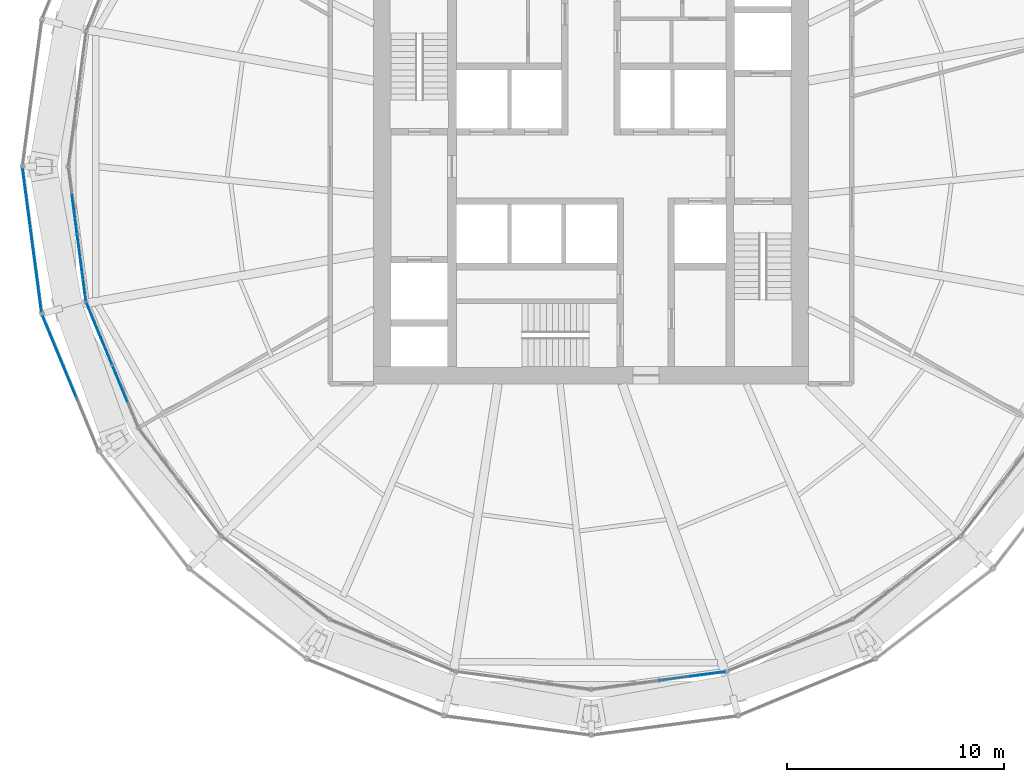
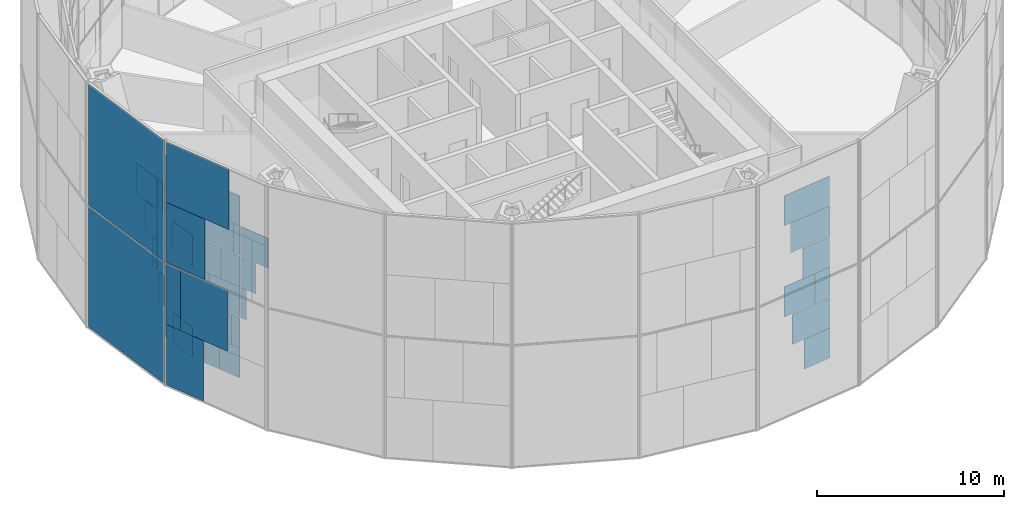
# One storey, part 13 of 26: 42 plates, 5 elements without a shape of their own.
"""IFC4 building model written with IfcOpenShell, lengths in metres."""

from ifc_helpers import new_model, si_unit, direction, frame, origin, origin_2d, place, context, subcontext, project, spatial, rectangle, extrude, material, layer, layer_set, type_object, element, aggregate, save


model = new_model("IFC4")

# Units and contexts
model_context = context("Model", 3, precision=1e-05, world=origin(), true_north=direction((0.0, 1.0)))
body_context = subcontext(model_context, "Body", "Model", "MODEL_VIEW")
ifc_project = project(units=[si_unit("LENGTHUNIT", "METRE"), si_unit("AREAUNIT", "SQUARE_METRE"), si_unit("VOLUMEUNIT", "CUBIC_METRE"), si_unit("PLANEANGLEUNIT", "RADIAN"), si_unit("MASSUNIT", "GRAM", prefix="KILO")], contexts=[model_context])

# Site, building, storey
site_placement = place(None, origin())
site = spatial("IfcSite", under=ifc_project, at=site_placement, CompositionType="ELEMENT")
building_placement = place(site_placement, origin())
building = spatial("IfcBuilding", under=site, at=building_placement, Name="Golbaran Civic Tower", CompositionType="ELEMENT")
storey_placement = place(building_placement, frame((0.0, 0.0, 69.0)))
storey = spatial("IfcBuildingStorey", under=building, at=storey_placement, Name="L16", CompositionType="ELEMENT", Elevation=69.0)

# Curtain wall, plates
ifc_material_1 = material(Name="Aluminium and glass", Category="aluminium")
curtain_wall_type_1 = type_object("IfcCurtainWallType", Name="INNER SKIN CURTAIN WALL", PredefinedType="NOTDEFINED", material=ifc_material_1)
curtain_wall_1_placement = place(storey_placement, origin())
curtain_wall_1 = element("IfcCurtainWall", 1, at=curtain_wall_1_placement, inside=storey, type_object=curtain_wall_type_1, Name="Inner skin L16 facet 13 CW1", ObjectType="INNER SKIN", PredefinedType="USERDEFINED")
ifc_material_2 = material(Name="Clear insulating glass", Category="glass")
ifc_layer_1 = layer(ifc_material_2, 0.031982421875, Name="Clear insulating glass")
ifc_layer_set_1 = layer_set([ifc_layer_1], Name="Clear insulating glass")
plate_type_1 = type_object("IfcPlateType", Name="INNER SKIN CURTAIN WALL GLAZED PANEL", PredefinedType="CURTAIN_PANEL", material=ifc_layer_set_1)
plate_1_placement = place(storey_placement, frame((-23.55224609375, -3.8037109375, 0.06494140625), z_axis=(0.0, 0.0, 1.0), x_axis=(0.130526192168, -0.991444861381, 0.0)))
plate_1 = element("IfcPlate", 2, at=plate_1_placement, type_object=plate_type_1, Name="CW1 panel 2.1 part 1", PredefinedType="CURTAIN_PANEL", context=body_context, shape_type="SweptSolid", body=[
    extrude(rectangle(XDim=1.3291015625, YDim=0.031982421875, at=origin_2d()), origin(), (0.0, 0.0, 1.0), 1.951171875),
])
plate_2_placement = place(storey_placement, frame((-23.604248046875, -3.408203125, 2.016357421875), z_axis=(0.0, 0.0, 1.0), x_axis=(0.130526192168, -0.991444861381, 0.0)))
plate_2 = element("IfcPlate", 3, at=plate_2_placement, type_object=plate_type_1, Name="CW1 panel 2.1 part 3", PredefinedType="CURTAIN_PANEL", context=body_context, shape_type="SweptSolid", body=[
    extrude(rectangle(XDim=0.531005859375, YDim=0.031982421875, at=origin_2d()), origin(), (0.0, 0.0, 1.0), 1.951171875),
])
plate_3_placement = place(storey_placement, frame((-23.306640625, -5.669189453125, 4.03271484375), z_axis=(0.0, 0.0, 1.0), x_axis=(0.130526192168, -0.991444861381, 0.0)))
plate_3 = element("IfcPlate", 4, at=plate_3_placement, type_object=plate_type_1, Name="CW1 panel 2.2 part 2", PredefinedType="CURTAIN_PANEL", context=body_context, shape_type="SweptSolid", body=[
    extrude(rectangle(XDim=0.991943359375, YDim=0.031982421875, at=origin_2d()), origin(), (0.0, 0.0, 1.0), 1.967529296875),
])
plate_4_placement = place(storey_placement, frame((-23.359130859375, -5.26953125, 6.0), z_axis=(0.0, 0.0, 1.0), x_axis=(0.130526192168, -0.991444861381, 0.0)))
plate_4 = element("IfcPlate", 5, at=plate_4_placement, type_object=plate_type_1, Name="CW1 panel 2.2 part 4", PredefinedType="CURTAIN_PANEL", context=body_context, shape_type="SweptSolid", body=[
    extrude(rectangle(XDim=1.798095703125, YDim=0.031982421875, at=origin_2d()), origin(), (0.0, 0.0, 1.0), 1.967529296875),
])
plate_5_placement = place(storey_placement, frame((-23.41357421875, -4.856689453125, 8.032470703125), z_axis=(0.0, 0.0, 1.0), x_axis=(0.130526192168, -0.991444861381, 0.0)))
plate_5 = element("IfcPlate", 6, at=plate_5_placement, type_object=plate_type_1, Name="CW1 panel 2.3 part 2", PredefinedType="CURTAIN_PANEL", context=body_context, shape_type="SweptSolid", body=[
    extrude(rectangle(XDim=2.631103515625, YDim=0.031982421875, at=origin_2d()), origin(), (0.0, 0.0, 1.0), 1.951171875),
])
plate_6_placement = place(storey_placement, frame((-23.4404296875, -4.65283203125, 9.98388671875), z_axis=(0.0, 0.0, 1.0), x_axis=(0.130526192168, -0.991444861381, 0.0)))
plate_6 = element("IfcPlate", 7, at=plate_6_placement, type_object=plate_type_1, Name="CW1 panel 2.3 part 3", PredefinedType="CURTAIN_PANEL", context=body_context, shape_type="SweptSolid", body=[
    extrude(rectangle(XDim=3.0419921875, YDim=0.031982421875, at=origin_2d()), origin(), (0.0, 0.0, 1.0), 1.951171875),
])

curtain_wall_2_placement = place(storey_placement, origin())
curtain_wall_2 = element("IfcCurtainWall", 8, at=curtain_wall_2_placement, inside=storey, type_object=curtain_wall_type_1, Name="Inner skin L16 facet 14 CW1", ObjectType="INNER SKIN", PredefinedType="USERDEFINED")
plate_7_placement = place(storey_placement, frame((-22.298583984375, -8.48193359375, 0.06494140625), z_axis=(0.0, 0.0, 1.0), x_axis=(0.382683432446, -0.923879532478, 0.0)))
plate_7 = element("IfcPlate", 9, at=plate_7_placement, type_object=plate_type_1, Name="CW1 panel 1.1 part 2", PredefinedType="CURTAIN_PANEL", context=body_context, shape_type="SweptSolid", body=[
    extrude(rectangle(XDim=1.3291015625, YDim=0.031982421875, at=origin_2d()), origin(), (0.0, 0.0, 1.0), 1.951171875),
])
plate_8_placement = place(storey_placement, frame((-22.14599609375, -8.8505859375, 2.016357421875), z_axis=(0.0, 0.0, 1.0), x_axis=(0.382683432446, -0.923879532478, 0.0)))
plate_8 = element("IfcPlate", 10, at=plate_8_placement, type_object=plate_type_1, Name="CW1 panel 1.1 part 4", PredefinedType="CURTAIN_PANEL", context=body_context, shape_type="SweptSolid", body=[
    extrude(rectangle(XDim=0.531005859375, YDim=0.031982421875, at=origin_2d()), origin(), (0.0, 0.0, 1.0), 1.951171875),
])
plate_9_placement = place(storey_placement, frame((-23.018798828125, -6.74365234375, 4.03271484375), z_axis=(0.0, 0.0, 1.0), x_axis=(0.382683432446, -0.923879532478, 0.0)))
plate_9 = element("IfcPlate", 11, at=plate_9_placement, type_object=plate_type_1, Name="CW1 panel 1.2 part 1", PredefinedType="CURTAIN_PANEL", context=body_context, shape_type="SweptSolid", body=[
    extrude(rectangle(XDim=0.991943359375, YDim=0.031982421875, at=origin_2d()), origin(), (0.0, 0.0, 1.0), 1.967529296875),
])
plate_10_placement = place(storey_placement, frame((-22.8642578125, -7.116455078125, 6.0), z_axis=(0.0, 0.0, 1.0), x_axis=(0.382683432446, -0.923879532478, 0.0)))
plate_10 = element("IfcPlate", 12, at=plate_10_placement, type_object=plate_type_1, Name="CW1 panel 1.2 part 3", PredefinedType="CURTAIN_PANEL", context=body_context, shape_type="SweptSolid", body=[
    extrude(rectangle(XDim=1.799072265625, YDim=0.031982421875, at=origin_2d()), origin(), (0.0, 0.0, 1.0), 1.967529296875),
])
plate_11_placement = place(storey_placement, frame((-22.705078125, -7.500732421875, 8.032470703125), z_axis=(0.0, 0.0, 1.0), x_axis=(0.382683432446, -0.923879532478, 0.0)))
plate_11 = element("IfcPlate", 13, at=plate_11_placement, type_object=plate_type_1, Name="CW1 panel 1.3 part 1", PredefinedType="CURTAIN_PANEL", context=body_context, shape_type="SweptSolid", body=[
    extrude(rectangle(XDim=2.631103515625, YDim=0.031982421875, at=origin_2d()), origin(), (0.0, 0.0, 1.0), 1.951171875),
])
plate_12_placement = place(storey_placement, frame((-22.62646484375, -7.690673828125, 9.98388671875), z_axis=(0.0, 0.0, 1.0), x_axis=(0.382683432446, -0.923879532478, 0.0)))
plate_12 = element("IfcPlate", 14, at=plate_12_placement, type_object=plate_type_1, Name="CW1 panel 1.3 part 3", PredefinedType="CURTAIN_PANEL", context=body_context, shape_type="SweptSolid", body=[
    extrude(rectangle(XDim=3.0419921875, YDim=0.031982421875, at=origin_2d()), origin(), (0.0, 0.0, 1.0), 1.951171875),
])

curtain_wall_3_placement = place(storey_placement, origin())
curtain_wall_3 = element("IfcCurtainWall", 15, at=curtain_wall_3_placement, inside=storey, type_object=curtain_wall_type_1, Name="Inner skin L16 facet 19 CW1", ObjectType="INNER SKIN", PredefinedType="USERDEFINED")
plate_13_placement = place(storey_placement, frame((5.669189453125, -23.306640625, 4.03271484375), z_axis=(0.0, 0.0, 1.0), x_axis=(0.991444861381, 0.130526192168, 0.0)))
plate_13 = element("IfcPlate", 16, at=plate_13_placement, type_object=plate_type_1, Name="CW1 panel 2.2 part 2", PredefinedType="CURTAIN_PANEL", context=body_context, shape_type="SweptSolid", body=[
    extrude(rectangle(XDim=0.991943359375, YDim=0.031982421875, at=origin_2d()), origin(), (0.0, 0.0, 1.0), 1.967529296875),
])
plate_14_placement = place(storey_placement, frame((5.26953125, -23.359130859375, 6.0), z_axis=(0.0, 0.0, 1.0), x_axis=(0.991444861381, 0.130526192168, 0.0)))
plate_14 = element("IfcPlate", 17, at=plate_14_placement, type_object=plate_type_1, Name="CW1 panel 2.2 part 4", PredefinedType="CURTAIN_PANEL", context=body_context, shape_type="SweptSolid", body=[
    extrude(rectangle(XDim=1.798095703125, YDim=0.031982421875, at=origin_2d()), origin(), (0.0, 0.0, 1.0), 1.967529296875),
])
plate_15_placement = place(storey_placement, frame((4.856689453125, -23.41357421875, 8.032470703125), z_axis=(0.0, 0.0, 1.0), x_axis=(0.991444861381, 0.130526192168, 0.0)))
plate_15 = element("IfcPlate", 18, at=plate_15_placement, type_object=plate_type_1, Name="CW1 panel 2.3 part 2", PredefinedType="CURTAIN_PANEL", context=body_context, shape_type="SweptSolid", body=[
    extrude(rectangle(XDim=2.631103515625, YDim=0.031982421875, at=origin_2d()), origin(), (0.0, 0.0, 1.0), 1.951171875),
])
plate_16_placement = place(storey_placement, frame((4.65283203125, -23.4404296875, 9.98388671875), z_axis=(0.0, 0.0, 1.0), x_axis=(0.991444861381, 0.130526192168, 0.0)))
plate_16 = element("IfcPlate", 19, at=plate_16_placement, type_object=plate_type_1, Name="CW1 panel 2.3 part 3", PredefinedType="CURTAIN_PANEL", context=body_context, shape_type="SweptSolid", body=[
    extrude(rectangle(XDim=3.0419921875, YDim=0.031982421875, at=origin_2d()), origin(), (0.0, 0.0, 1.0), 1.951171875),
])

# Plate
ifc_material_3 = material(Name="Aluminium faced opaque infill panel", Category="aluminium")
ifc_layer_2 = layer(ifc_material_3, 0.031982421875, Name="Aluminium faced opaque infill panel")
ifc_layer_set_2 = layer_set([ifc_layer_2], Name="Aluminium faced opaque infill panel")
plate_type_2 = type_object("IfcPlateType", Name="INNER SKIN CURTAIN WALL OPAQUE INFILL PANEL", PredefinedType="CURTAIN_PANEL", material=ifc_layer_set_2)
plate_17_placement = place(storey_placement, frame((-23.673583984375, -2.881591796875, 4.03271484375), z_axis=(0.0, 0.0, 1.0), x_axis=(0.130526192168, -0.991444861381, 0.0)))
plate_17 = element("IfcPlate", 20, at=plate_17_placement, type_object=plate_type_2, Name="CW1 infill panel 1.2 part 2", PredefinedType="CURTAIN_PANEL", context=body_context, shape_type="SweptSolid", body=[
    extrude(rectangle(XDim=0.401123046875, YDim=0.031982421875, at=origin_2d()), origin(), (0.0, 0.0, 1.0), 1.967529296875),
])

plate_18_placement = place(storey_placement, frame((-23.71533203125, -2.5654296875, 6.0), z_axis=(0.0, 0.0, 1.0), x_axis=(0.130526192168, -0.991444861381, 0.0)))
plate_18 = element("IfcPlate", 21, at=plate_18_placement, type_object=plate_type_2, Name="CW1 infill panel 1.2 part 4", PredefinedType="CURTAIN_PANEL", context=body_context, shape_type="SweptSolid", body=[
    extrude(rectangle(XDim=1.0390625, YDim=0.031982421875, at=origin_2d()), origin(), (0.0, 0.0, 1.0), 1.967529296875),
])

plate_19_placement = place(storey_placement, frame((-23.76904296875, -2.156982421875, 8.032470703125), z_axis=(0.0, 0.0, 1.0), x_axis=(0.130526192168, -0.991444861381, 0.0)))
plate_19 = element("IfcPlate", 22, at=plate_19_placement, type_object=plate_type_2, Name="CW1 infill panel 1.3 part 2", PredefinedType="CURTAIN_PANEL", context=body_context, shape_type="SweptSolid", body=[
    extrude(rectangle(XDim=1.863037109375, YDim=0.031982421875, at=origin_2d()), origin(), (0.0, 0.0, 1.0), 1.951171875),
])

plate_20_placement = place(storey_placement, frame((-23.353759765625, -5.311767578125, 0.06494140625), z_axis=(0.0, 0.0, 1.0), x_axis=(0.130526192168, -0.991444861381, 0.0)))
plate_20 = element("IfcPlate", 23, at=plate_20_placement, type_object=plate_type_2, Name="CW1 infill panel 2.1 part 2", PredefinedType="CURTAIN_PANEL", context=body_context, shape_type="SweptSolid", body=[
    extrude(rectangle(XDim=1.713134765625, YDim=0.031982421875, at=origin_2d()), origin(), (0.0, 0.0, 1.0), 1.951171875),
])

plate_21_placement = place(storey_placement, frame((-23.40576171875, -4.916259765625, 2.016357421875), z_axis=(0.0, 0.0, 1.0), x_axis=(0.130526192168, -0.991444861381, 0.0)))
plate_21 = element("IfcPlate", 24, at=plate_21_placement, type_object=plate_type_2, Name="CW1 infill panel 2.1 part 4", PredefinedType="CURTAIN_PANEL", context=body_context, shape_type="SweptSolid", body=[
    extrude(rectangle(XDim=2.510986328125, YDim=0.031982421875, at=origin_2d()), origin(), (0.0, 0.0, 1.0), 1.951171875),
])

plate_22_placement = place(storey_placement, frame((-23.505126953125, -4.1611328125, 4.03271484375), z_axis=(0.0, 0.0, 1.0), x_axis=(0.130526192168, -0.991444861381, 0.0)))
plate_22 = element("IfcPlate", 25, at=plate_22_placement, type_object=plate_type_2, Name="CW1 infill panel 2.2 part 1", PredefinedType="CURTAIN_PANEL", context=body_context, shape_type="SweptSolid", body=[
    extrude(rectangle(XDim=2.050048828125, YDim=0.031982421875, at=origin_2d()), origin(), (0.0, 0.0, 1.0), 1.967529296875),
])

plate_23_placement = place(storey_placement, frame((-23.557861328125, -3.761474609375, 6.0), z_axis=(0.0, 0.0, 1.0), x_axis=(0.130526192168, -0.991444861381, 0.0)))
plate_23 = element("IfcPlate", 26, at=plate_23_placement, type_object=plate_type_2, Name="CW1 infill panel 2.2 part 3", PredefinedType="CURTAIN_PANEL", context=body_context, shape_type="SweptSolid", body=[
    extrude(rectangle(XDim=1.243896484375, YDim=0.031982421875, at=origin_2d()), origin(), (0.0, 0.0, 1.0), 1.967529296875),
])

plate_24_placement = place(storey_placement, frame((-23.612060546875, -3.3486328125, 8.032470703125), z_axis=(0.0, 0.0, 1.0), x_axis=(0.130526192168, -0.991444861381, 0.0)))
plate_24 = element("IfcPlate", 27, at=plate_24_placement, type_object=plate_type_2, Name="CW1 infill panel 2.3 part 1", PredefinedType="CURTAIN_PANEL", context=body_context, shape_type="SweptSolid", body=[
    extrude(rectangle(XDim=0.410888671875, YDim=0.031982421875, at=origin_2d()), origin(), (0.0, 0.0, 1.0), 1.951171875),
])

aggregate(curtain_wall_1, [plate_17, plate_18, plate_19, plate_1, plate_20, plate_2, plate_21, plate_22, plate_3, plate_23, plate_4, plate_24, plate_5, plate_6])

plate_25_placement = place(storey_placement, frame((-22.880859375, -7.07666015625, 0.06494140625), z_axis=(0.0, 0.0, 1.0), x_axis=(0.382683432446, -0.923879532478, 0.0)))
plate_25 = element("IfcPlate", 28, at=plate_25_placement, type_object=plate_type_2, Name="CW1 infill panel 1.1 part 1", PredefinedType="CURTAIN_PANEL", context=body_context, shape_type="SweptSolid", body=[
    extrude(rectangle(XDim=1.712890625, YDim=0.031982421875, at=origin_2d()), origin(), (0.0, 0.0, 1.0), 1.951171875),
])

plate_26_placement = place(storey_placement, frame((-22.72802734375, -7.4453125, 2.016357421875), z_axis=(0.0, 0.0, 1.0), x_axis=(0.382683432446, -0.923879532478, 0.0)))
plate_26 = element("IfcPlate", 29, at=plate_26_placement, type_object=plate_type_2, Name="CW1 infill panel 1.1 part 3", PredefinedType="CURTAIN_PANEL", context=body_context, shape_type="SweptSolid", body=[
    extrude(rectangle(XDim=2.510986328125, YDim=0.031982421875, at=origin_2d()), origin(), (0.0, 0.0, 1.0), 1.951171875),
])

plate_27_placement = place(storey_placement, frame((-22.436767578125, -8.14892578125, 4.03271484375), z_axis=(0.0, 0.0, 1.0), x_axis=(0.382683432446, -0.923879532478, 0.0)))
plate_27 = element("IfcPlate", 30, at=plate_27_placement, type_object=plate_type_2, Name="CW1 infill panel 1.2 part 2", PredefinedType="CURTAIN_PANEL", context=body_context, shape_type="SweptSolid", body=[
    extrude(rectangle(XDim=2.050048828125, YDim=0.031982421875, at=origin_2d()), origin(), (0.0, 0.0, 1.0), 1.967529296875),
])

plate_28_placement = place(storey_placement, frame((-22.2822265625, -8.521728515625, 6.0), z_axis=(0.0, 0.0, 1.0), x_axis=(0.382683432446, -0.923879532478, 0.0)))
plate_28 = element("IfcPlate", 31, at=plate_28_placement, type_object=plate_type_2, Name="CW1 infill panel 1.2 part 4", PredefinedType="CURTAIN_PANEL", context=body_context, shape_type="SweptSolid", body=[
    extrude(rectangle(XDim=1.2431640625, YDim=0.031982421875, at=origin_2d()), origin(), (0.0, 0.0, 1.0), 1.967529296875),
])

plate_29_placement = place(storey_placement, frame((-22.123046875, -8.906005859375, 8.032470703125), z_axis=(0.0, 0.0, 1.0), x_axis=(0.382683432446, -0.923879532478, 0.0)))
plate_29 = element("IfcPlate", 32, at=plate_29_placement, type_object=plate_type_2, Name="CW1 infill panel 1.3 part 2", PredefinedType="CURTAIN_PANEL", context=body_context, shape_type="SweptSolid", body=[
    extrude(rectangle(XDim=0.4111328125, YDim=0.031982421875, at=origin_2d()), origin(), (0.0, 0.0, 1.0), 1.951171875),
])

plate_30_placement = place(storey_placement, frame((-21.94287109375, -9.34130859375, 4.03271484375), z_axis=(0.0, 0.0, 1.0), x_axis=(0.382683432446, -0.923879532478, 0.0)))
plate_30 = element("IfcPlate", 33, at=plate_30_placement, type_object=plate_type_2, Name="CW1 infill panel 2.2 part 1", PredefinedType="CURTAIN_PANEL", context=body_context, shape_type="SweptSolid", body=[
    extrude(rectangle(XDim=0.40087890625, YDim=0.031982421875, at=origin_2d()), origin(), (0.0, 0.0, 1.0), 1.967529296875),
])

plate_31_placement = place(storey_placement, frame((-21.82080078125, -9.635986328125, 6.0), z_axis=(0.0, 0.0, 1.0), x_axis=(0.382683432446, -0.923879532478, 0.0)))
plate_31 = element("IfcPlate", 34, at=plate_31_placement, type_object=plate_type_2, Name="CW1 infill panel 2.2 part 3", PredefinedType="CURTAIN_PANEL", context=body_context, shape_type="SweptSolid", body=[
    extrude(rectangle(XDim=1.0390625, YDim=0.031982421875, at=origin_2d()), origin(), (0.0, 0.0, 1.0), 1.967529296875),
])

plate_32_placement = place(storey_placement, frame((-21.6630859375, -10.0166015625, 8.032470703125), z_axis=(0.0, 0.0, 1.0), x_axis=(0.382683432446, -0.923879532478, 0.0)))
plate_32 = element("IfcPlate", 35, at=plate_32_placement, type_object=plate_type_2, Name="CW1 infill panel 2.3 part 1", PredefinedType="CURTAIN_PANEL", context=body_context, shape_type="SweptSolid", body=[
    extrude(rectangle(XDim=1.863037109375, YDim=0.031982421875, at=origin_2d()), origin(), (0.0, 0.0, 1.0), 1.951171875),
])

aggregate(curtain_wall_2, [plate_25, plate_7, plate_26, plate_8, plate_9, plate_27, plate_10, plate_28, plate_11, plate_29, plate_12, plate_30, plate_31, plate_32])

plate_33_placement = place(storey_placement, frame((5.311767578125, -23.353759765625, 0.06494140625), z_axis=(0.0, 0.0, 1.0), x_axis=(0.991444861381, 0.130526192168, 0.0)))
plate_33 = element("IfcPlate", 36, at=plate_33_placement, type_object=plate_type_2, Name="CW1 infill panel 2.1 part 2", PredefinedType="CURTAIN_PANEL", context=body_context, shape_type="SweptSolid", body=[
    extrude(rectangle(XDim=1.713134765625, YDim=0.031982421875, at=origin_2d()), origin(), (0.0, 0.0, 1.0), 1.951171875),
])

plate_34_placement = place(storey_placement, frame((4.916259765625, -23.40576171875, 2.016357421875), z_axis=(0.0, 0.0, 1.0), x_axis=(0.991444861381, 0.130526192168, 0.0)))
plate_34 = element("IfcPlate", 37, at=plate_34_placement, type_object=plate_type_2, Name="CW1 infill panel 2.1 part 4", PredefinedType="CURTAIN_PANEL", context=body_context, shape_type="SweptSolid", body=[
    extrude(rectangle(XDim=2.510986328125, YDim=0.031982421875, at=origin_2d()), origin(), (0.0, 0.0, 1.0), 1.951171875),
])

plate_35_placement = place(storey_placement, frame((4.1611328125, -23.505126953125, 4.03271484375), z_axis=(0.0, 0.0, 1.0), x_axis=(0.991444861381, 0.130526192168, 0.0)))
plate_35 = element("IfcPlate", 38, at=plate_35_placement, type_object=plate_type_2, Name="CW1 infill panel 2.2 part 1", PredefinedType="CURTAIN_PANEL", context=body_context, shape_type="SweptSolid", body=[
    extrude(rectangle(XDim=2.050048828125, YDim=0.031982421875, at=origin_2d()), origin(), (0.0, 0.0, 1.0), 1.967529296875),
])

aggregate(curtain_wall_3, [plate_33, plate_34, plate_35, plate_13, plate_14, plate_15, plate_16])

# Curtain wall, plates
curtain_wall_type_2 = type_object("IfcCurtainWallType", Name="OUTER SKIN TERRACOTTA SCREEN", PredefinedType="NOTDEFINED", material=ifc_material_1)
curtain_wall_4_placement = place(storey_placement, origin())
curtain_wall_4 = element("IfcCurtainWall", 39, at=curtain_wall_4_placement, inside=storey, type_object=curtain_wall_type_2, Name="Outer skin L16 facet 14 CW3", ObjectType="OUTER SKIN", PredefinedType="USERDEFINED")
ifc_material_4 = material(Name="Clear laminated glass", Category="glass")
ifc_layer_3 = layer(ifc_material_4, 0.0400390625, Name="Clear laminated glass")
ifc_layer_set_3 = layer_set([ifc_layer_3], Name="Clear laminated glass")
plate_type_3 = type_object("IfcPlateType", Name="OUTER SKIN CLEAR GLASS PANEL", PredefinedType="CURTAIN_PANEL", material=ifc_layer_set_3)
plate_36_placement = place(storey_placement, frame((-25.05615234375, -7.2861328125, 3.31005859375), z_axis=(0.0, 0.0, 1.0), x_axis=(0.382683432478, -0.923879532465, 0.0)))
plate_36 = element("IfcPlate", 40, at=plate_36_placement, type_object=plate_type_3, Name="CW3 panel 1.1 part 3", PredefinedType="CURTAIN_PANEL", context=body_context, shape_type="SweptSolid", body=[
    extrude(rectangle(XDim=0.955078125, YDim=0.0400390625, at=origin_2d()), origin(), (0.0, 0.0, 1.0), 3.93994140625),
])
plate_37_placement = place(storey_placement, frame((-24.741943359375, -8.044921875, 7.330078125), z_axis=(0.0, 0.0, 1.0), x_axis=(0.382683432478, -0.923879532465, 0.0)))
plate_37 = element("IfcPlate", 41, at=plate_37_placement, type_object=plate_type_3, Name="CW3 panel 1.2 part 1", PredefinedType="CURTAIN_PANEL", context=body_context, shape_type="SweptSolid", body=[
    extrude(rectangle(XDim=2.597900390625, YDim=0.0400390625, at=origin_2d()), origin(), (0.0, 0.0, 1.0), 3.93994140625),
])
plate_38_placement = place(storey_placement, frame((-24.43359375, -8.7890625, 11.27001953125), z_axis=(0.0, 0.0, 1.0), x_axis=(0.382683432478, -0.923879532465, 0.0)))
plate_38 = element("IfcPlate", 42, at=plate_38_placement, type_object=plate_type_3, Name="CW3 panel 1.2 part 4", PredefinedType="CURTAIN_PANEL", context=body_context, shape_type="SweptSolid", body=[
    extrude(rectangle(XDim=4.208984375, YDim=0.0400390625, at=origin_2d()), origin(), (0.0, 0.0, 1.0), 3.93994140625),
])
ifc_material_5 = material(Name="Terracotta baguette screen", Category="masonry")
ifc_layer_4 = layer(ifc_material_5, 0.0400390625, Name="Terracotta baguette screen")
ifc_layer_set_4 = layer_set([ifc_layer_4], Name="Terracotta baguette screen")
plate_type_4 = type_object("IfcPlateType", Name="OUTER SKIN TERRACOTTA INFILL PANEL", PredefinedType="CURTAIN_PANEL", material=ifc_layer_set_4)
plate_39_placement = place(storey_placement, frame((-24.762939453125, -7.994140625, -0.6298828125), z_axis=(0.0, 0.0, 1.0), x_axis=(0.382683432478, -0.923879532465, 0.0)))
plate_39 = element("IfcPlate", 43, at=plate_39_placement, type_object=plate_type_4, Name="CW3 infill panel 1.1 part 1", PredefinedType="CURTAIN_PANEL", context=body_context, shape_type="SweptSolid", body=[
    extrude(rectangle(XDim=2.488037109375, YDim=0.0400390625, at=origin_2d()), origin(), (0.0, 0.0, 1.0), 3.93994140625),
])
plate_40_placement = place(storey_placement, frame((-24.271240234375, -9.180908203125, 3.31005859375), z_axis=(0.0, 0.0, 1.0), x_axis=(0.382683432478, -0.923879532465, 0.0)))
plate_40 = element("IfcPlate", 44, at=plate_40_placement, type_object=plate_type_4, Name="CW3 infill panel 1.1 part 4", PredefinedType="CURTAIN_PANEL", context=body_context, shape_type="SweptSolid", body=[
    extrude(rectangle(XDim=3.14697265625, YDim=0.0400390625, at=origin_2d()), origin(), (0.0, 0.0, 1.0), 3.93994140625),
])
aggregate(curtain_wall_4, [plate_39, plate_36, plate_40, plate_37, plate_38])

curtain_wall_5_placement = place(storey_placement, origin())
curtain_wall_5 = element("IfcCurtainWall", 45, at=curtain_wall_5_placement, inside=storey, type_object=curtain_wall_type_2, Name="Outer skin L16 facet 13 CW3", ObjectType="OUTER SKIN", PredefinedType="USERDEFINED")
ifc_layer_5 = layer(ifc_material_5, 0.0400390625, Name="Terracotta baguette screen")
ifc_layer_set_5 = layer_set([ifc_layer_5], Name="Terracotta baguette screen")
plate_type_5 = type_object("IfcPlateType", Name="OUTER SKIN TERRACOTTA SCREEN PANEL", PredefinedType="CURTAIN_PANEL", material=ifc_layer_set_5)
plate_41_placement = place(storey_placement, frame((-25.71533203125, -3.385498046875, -0.6298828125), z_axis=(0.0, 0.0, 1.0), x_axis=(0.130526192151, -0.991444861383, 0.0)))
plate_41 = element("IfcPlate", 46, at=plate_41_placement, type_object=plate_type_5, Name="CW3 terracotta screen panel 1.1", PredefinedType="CURTAIN_PANEL", context=body_context, shape_type="SweptSolid", body=[
    extrude(rectangle(XDim=6.66943359375, YDim=0.0400390625, at=origin_2d()), origin(), (0.0, 0.0, 1.0), 7.8798828125),
])
plate_42_placement = place(storey_placement, frame((-25.71533203125, -3.385498046875, 7.330078125), z_axis=(0.0, 0.0, 1.0), x_axis=(0.130526192151, -0.991444861383, 0.0)))
plate_42 = element("IfcPlate", 47, at=plate_42_placement, type_object=plate_type_5, Name="CW3 terracotta screen panel 1.2", PredefinedType="CURTAIN_PANEL", context=body_context, shape_type="SweptSolid", body=[
    extrude(rectangle(XDim=6.66943359375, YDim=0.0400390625, at=origin_2d()), origin(), (0.0, 0.0, 1.0), 7.8798828125),
])
aggregate(curtain_wall_5, [plate_41, plate_42])

save(model, "model.ifc")
